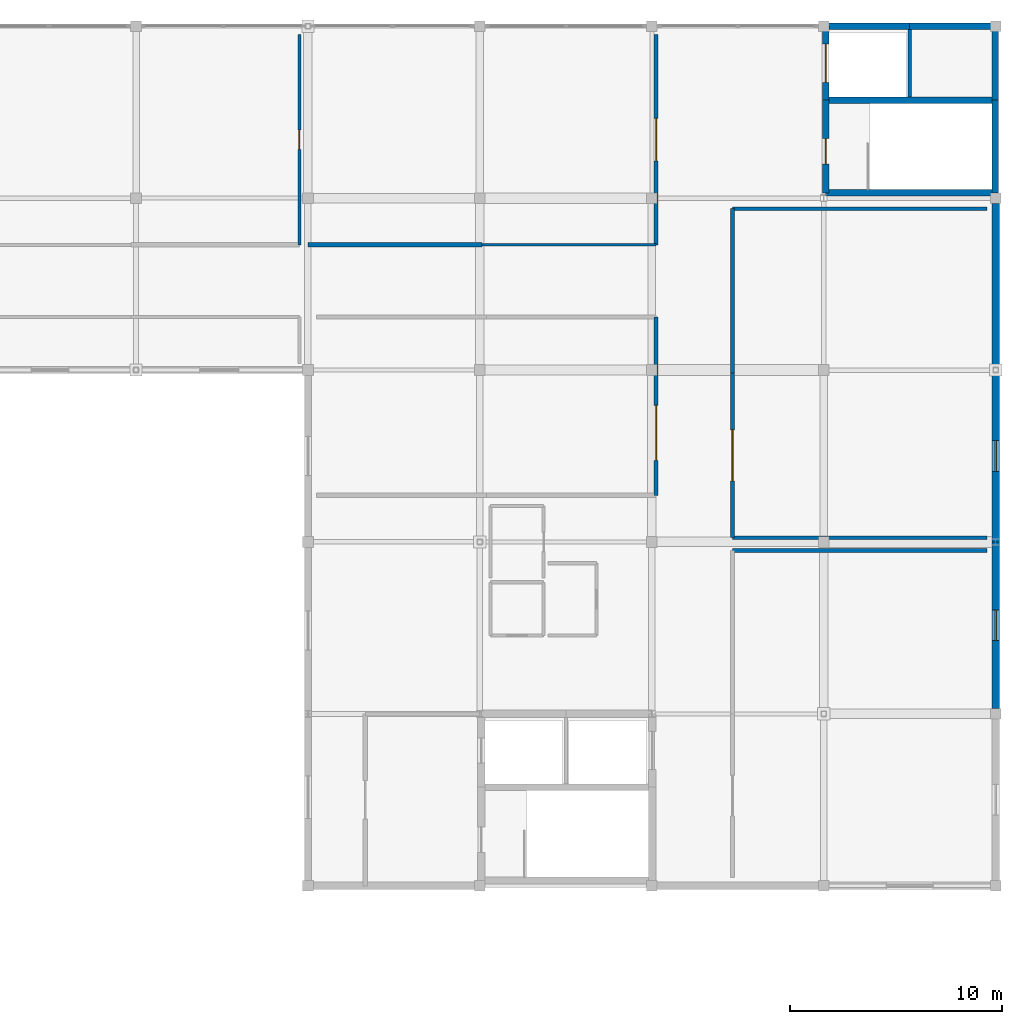
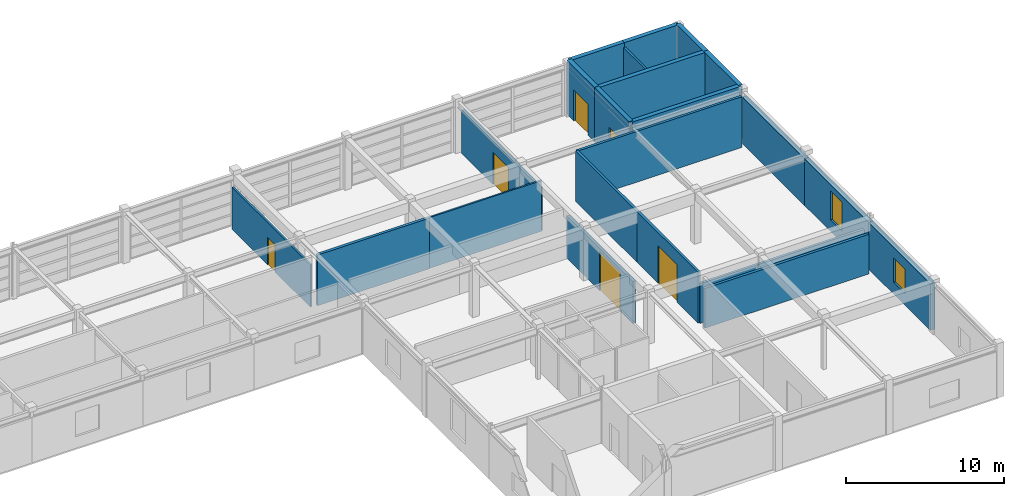
# One storey, part 18 of 19: 22 walls, 6 doors, 2 windows, 8 openings.
"""IFC4 building model written with IfcOpenShell, lengths in metres."""

from ifc_helpers import new_model, si_unit, direction, frame, frame_2d, origin, place, context, subcontext, project, spatial, rectangle, extrude, material, layer, layer_set, type_object, element, fill, save


model = new_model("IFC4")

# Units and contexts
model_context = context("Model", 3, precision=1e-05, world=origin(), true_north=direction((0.0, 1.0)))
body_context = subcontext(model_context, "Body", "Model", "MODEL_VIEW")
ifc_project = project(units=[si_unit("LENGTHUNIT", "METRE"), si_unit("AREAUNIT", "SQUARE_METRE"), si_unit("VOLUMEUNIT", "CUBIC_METRE"), si_unit("PLANEANGLEUNIT", "RADIAN"), si_unit("MASSUNIT", "GRAM", prefix="KILO")], contexts=[model_context])

# Site, building, storey
site_placement = place(None, origin())
site = spatial("IfcSite", under=ifc_project, at=site_placement, CompositionType="ELEMENT")
building_placement = place(site_placement, origin())
building = spatial("IfcBuilding", under=site, at=building_placement, Name="Parian Resonance Hall", CompositionType="ELEMENT")
storey_placement = place(building_placement, frame((0.0, 0.0, 23.39990234375)))
storey = spatial("IfcBuildingStorey", under=building, at=storey_placement, Name="L05", CompositionType="ELEMENT", Elevation=23.39990234375)

# Wall, opening, door
ifc_material_1 = material(Name="Concrete C40/50", Category="concrete")
ifc_layer_1 = layer(ifc_material_1, 0.31005859375)
ifc_layer_set_1 = layer_set([ifc_layer_1], Name="Concrete C40/50")
wall_type_1 = type_object("IfcWallType", Name="CW310", PredefinedType="SHEAR", material=ifc_layer_set_1)
wall_1_placement = place(storey_placement, frame((137.7900390625, 81.25, 0.0), z_axis=(0.0, 0.0, 1.0), x_axis=(0.0, 1.0, 0.0)))
wall_1 = element("IfcWall", 1, at=wall_1_placement, inside=storey, type_object=wall_type_1, Name="Core K6 stairwell west shear wall L05", PredefinedType="SHEAR", context=body_context, shape_type="SweptSolid", body=[
    extrude(rectangle(XDim=4.360107421875, YDim=0.31005859375, at=frame_2d((2.18017578125, 0.0))), origin(), (0.0, 0.0, 1.0), 4.2001953125),
])
opening_1_placement = place(wall_1_placement, frame((1.35009765625, 0.0, 0.0)))
opening_1 = element("IfcOpeningElement", 2, at=opening_1_placement, cuts=wall_1, Name="Opening FD-01", PredefinedType="OPENING", context=body_context, shape_type="SweptSolid", body=[
    extrude(rectangle(XDim=1.199951171875, YDim=2.25, at=frame_2d((0.60009765625, 1.125))), frame((0.0, 0.1650390625, 0.0), z_axis=(0.0, -1.0, 0.0), x_axis=(1.0, 0.0, 0.0)), (0.0, 0.0, 1.0), 0.330078125),
])
ifc_material_2 = material(Name="Fire-rated acoustic steel and narra timber door", Category="steel")
door_type_1 = type_object("IfcDoorType", Name="FD-01", OperationType="NOTDEFINED", PredefinedType="DOOR", material=ifc_material_2)
door_1_placement = place(opening_1_placement, origin())
door_1 = element("IfcDoor", 3, at=door_1_placement, inside=storey, type_object=door_type_1, Name="Exit stair ST-06 fire door L05", OperationType="SINGLE_SWING_LEFT", OverallHeight=2.25, OverallWidth=1.199951171875, PredefinedType="DOOR", context=body_context, shape_type="SweptSolid", body=[
    extrude(rectangle(XDim=1.199951171875, YDim=2.25, at=frame_2d((0.60009765625, 1.125))), frame((0.0, 0.02490234375, 0.0), z_axis=(0.0, -1.0, 0.0), x_axis=(1.0, 0.0, 0.0)), (0.0, 0.0, 1.0), 0.050048828125),
])
fill(opening_1, door_1)

wall_2_placement = place(storey_placement, frame((137.7900390625, 85.610107421875, 0.0), z_axis=(0.0, 0.0, 1.0), x_axis=(0.0, 1.0, 0.0)))
wall_2 = element("IfcWall", 4, at=wall_2_placement, inside=storey, type_object=wall_type_1, Name="Core K6 lift shaft west shear wall L05", PredefinedType="SHEAR", context=body_context, shape_type="SweptSolid", body=[
    extrude(rectangle(XDim=3.489990234375, YDim=0.31005859375, at=frame_2d((1.7451171875, 0.0))), origin(), (0.0, 0.0, 1.0), 4.2001953125),
])
opening_2_placement = place(wall_2_placement, frame((0.844970703125, 0.0, 0.0)))
opening_2 = element("IfcOpeningElement", 5, at=opening_2_placement, cuts=wall_2, Name="Opening LD-02", PredefinedType="OPENING", context=body_context, shape_type="SweptSolid", body=[
    extrude(rectangle(XDim=1.800048828125, YDim=2.39990234375, at=frame_2d((0.89990234375, 1.199951171875))), frame((0.0, 0.1650390625, 0.0), z_axis=(0.0, -1.0, 0.0), x_axis=(1.0, 0.0, 0.0)), (0.0, 0.0, 1.0), 0.330078125),
])
ifc_material_3 = material(Name="Stainless steel and bronze elevator cab", Category="steel")
door_type_2 = type_object("IfcDoorType", Name="DOOR-LIFT-1800x2400", OperationType="SLIDING_TO_LEFT", PredefinedType="DOOR", material=ifc_material_3)
door_2_placement = place(opening_2_placement, origin())
door_2 = element("IfcDoor", 6, at=door_2_placement, inside=storey, type_object=door_type_2, Name="Lift LF-08 sliding landing door L05", OperationType="SLIDING_TO_LEFT", OverallHeight=2.39990234375, OverallWidth=1.800048828125, PredefinedType="DOOR", context=body_context, shape_type="SweptSolid", body=[
    extrude(rectangle(XDim=1.800048828125, YDim=2.39990234375, at=frame_2d((0.89990234375, 1.199951171875))), frame((0.0, 0.02490234375, 0.0), z_axis=(0.0, -1.0, 0.0), x_axis=(1.0, 0.0, 0.0)), (0.0, 0.0, 1.0), 0.050048828125),
])
fill(opening_2, door_2)

# Walls
wall_3_placement = place(storey_placement, frame((137.7900390625, 89.10009765625, 0.0), z_axis=(0.0, 0.0, 1.0), x_axis=(1.0, 0.0, 0.0)))
element("IfcWall", 7, at=wall_3_placement, inside=storey, type_object=wall_type_1, Name="Core K6 north-west shaft wall L05", PredefinedType="SHEAR", context=body_context, shape_type="SweptSolid", body=[
    extrude(rectangle(XDim=3.9599609375, YDim=0.31005859375, at=frame_2d((1.97998046875, 0.0))), origin(), (0.0, 0.0, 1.0), 4.2001953125),
])
wall_4_placement = place(storey_placement, frame((141.75, 89.10009765625, 0.0), z_axis=(0.0, 0.0, 1.0), x_axis=(1.0, 0.0, 0.0)))
element("IfcWall", 8, at=wall_4_placement, inside=storey, type_object=wall_type_1, Name="Core K6 north-east shaft wall L05", PredefinedType="SHEAR", context=body_context, shape_type="SweptSolid", body=[
    extrude(rectangle(XDim=4.02001953125, YDim=0.31005859375, at=frame_2d((2.010009765625, 0.0))), origin(), (0.0, 0.0, 1.0), 4.2001953125),
])
wall_5_placement = place(storey_placement, frame((145.77001953125, 89.10009765625, 0.0), z_axis=(0.0, 0.0, 1.0), x_axis=(0.0, -1.0, 0.0)))
element("IfcWall", 9, at=wall_5_placement, inside=storey, type_object=wall_type_1, Name="Core K6 east shaft wall L05", PredefinedType="SHEAR", context=body_context, shape_type="SweptSolid", body=[
    extrude(rectangle(XDim=3.489990234375, YDim=0.31005859375, at=frame_2d((1.7451171875, 0.0))), origin(), (0.0, 0.0, 1.0), 4.2001953125),
])
wall_6_placement = place(storey_placement, frame((145.77001953125, 85.610107421875, 0.0), z_axis=(0.0, 0.0, 1.0), x_axis=(0.0, -1.0, 0.0)))
element("IfcWall", 10, at=wall_6_placement, inside=storey, type_object=wall_type_1, Name="Core K6 stairwell east wall L05", PredefinedType="SHEAR", context=body_context, shape_type="SweptSolid", body=[
    extrude(rectangle(XDim=4.360107421875, YDim=0.31005859375, at=frame_2d((2.18017578125, 0.0))), origin(), (0.0, 0.0, 1.0), 4.2001953125),
])
for number, where, z_axis, x_axis, name in (
    (11, (145.77001953125, 81.25, 0.0), (0.0, 0.0, 1.0), (-1.0, 0.0, 0.0), "Core K6 stairwell south wall L05"),
    (12, (137.7900390625, 85.610107421875, 0.0), (0.0, 0.0, 1.0), (1.0, 0.0, 0.0), "Core K6 stair-lift divider wall L05"),
):
    element("IfcWall", number, at=place(storey_placement, frame(where, z_axis=z_axis, x_axis=x_axis)), inside=storey, type_object=wall_type_1, Name=name, PredefinedType="SHEAR", context=body_context, shape_type="SweptSolid", body=[
        extrude(rectangle(XDim=7.97998046875, YDim=0.31005859375, at=frame_2d((3.989990234375, 0.0))), origin(), (0.0, 0.0, 1.0), 4.2001953125),
    ])

# Wall, opening, window
ifc_material_4 = material(Name="Concrete C35/45 with Carcar coral-limestone ashlar", Category="masonry")
ifc_layer_2 = layer(ifc_material_4, 0.340087890625)
ifc_layer_set_2 = layer_set([ifc_layer_2], Name="Concrete C35/45 with Carcar coral-limestone ashlar")
wall_type_2 = type_object("IfcWallType", Name="EW-STONE-340", PredefinedType="SOLIDWALL", material=ifc_layer_set_2)
wall_7_placement = place(storey_placement, frame((145.800048828125, 56.949951171875, 0.0), z_axis=(0.0, 0.0, 1.0), x_axis=(0.0, 1.0, 0.0)))
wall_7 = element("IfcWall", 13, at=wall_7_placement, inside=storey, type_object=wall_type_2, Name="Perimeter closure wall L05", PredefinedType="SOLIDWALL", context=body_context, shape_type="SweptSolid", body=[
    extrude(rectangle(XDim=7.85009765625, YDim=0.340087890625, at=frame_2d((3.925048828125, 0.0))), origin(), (0.0, 0.0, 1.0), 3.607177734375),
])
opening_3_placement = place(wall_7_placement, frame((3.199951171875, 0.0, 0.89990234375)))
opening_3 = element("IfcOpeningElement", 14, at=opening_3_placement, cuts=wall_7, Name="Opening WN-22", PredefinedType="OPENING", context=body_context, shape_type="SweptSolid", body=[
    extrude(rectangle(XDim=1.449951171875, YDim=1.89990234375, at=frame_2d((0.72509765625, 0.949951171875))), frame((0.0, 0.179931640625, 0.0), z_axis=(0.0, -1.0, 0.0), x_axis=(1.0, 0.0, 0.0)), (0.0, 0.0, 1.0), 0.360107421875),
])
ifc_material_5 = material(Name="Acoustic laminated double glazing", Category="glass")
window_type_1 = type_object("IfcWindowType", Name="WIN-1450x1900", PartitioningType="SINGLE_PANEL", PredefinedType="WINDOW", material=ifc_material_5)
window_1_placement = place(opening_3_placement, origin())
window_1 = element("IfcWindow", 15, at=window_1_placement, inside=storey, type_object=window_type_1, Name="Acoustic window L05-0129", OverallHeight=1.89990234375, OverallWidth=1.449951171875, PartitioningType="SINGLE_PANEL", PredefinedType="WINDOW", context=body_context, shape_type="SweptSolid", body=[
    extrude(rectangle(XDim=1.449951171875, YDim=1.89990234375, at=frame_2d((0.72509765625, 0.949951171875))), frame((0.0, 0.030029296875, 0.0), z_axis=(0.0, -1.0, 0.0), x_axis=(1.0, 0.0, 0.0)), (0.0, 0.0, 1.0), 0.06005859375),
])
fill(opening_3, window_1)

wall_8_placement = place(storey_placement, frame((145.800048828125, 64.800048828125, 0.0), z_axis=(0.0, 0.0, 1.0), x_axis=(0.0, 1.0, 0.0)))
wall_8 = element("IfcWall", 16, at=wall_8_placement, inside=storey, type_object=wall_type_2, Name="Perimeter closure wall L05", PredefinedType="SOLIDWALL", context=body_context, shape_type="SweptSolid", body=[
    extrude(rectangle(XDim=8.099853515625, YDim=0.340087890625, at=frame_2d((4.0498046875, 0.0))), origin(), (0.0, 0.0, 1.0), 3.607177734375),
])
opening_4_placement = place(wall_8_placement, frame((3.324951171875, 0.0, 0.89990234375)))
opening_4 = element("IfcOpeningElement", 17, at=opening_4_placement, cuts=wall_8, Name="Opening WN-23", PredefinedType="OPENING", context=body_context, shape_type="SweptSolid", body=[
    extrude(rectangle(XDim=1.449951171875, YDim=2.25, at=frame_2d((0.72509765625, 1.125))), frame((0.0, 0.179931640625, 0.0), z_axis=(0.0, -1.0, 0.0), x_axis=(1.0, 0.0, 0.0)), (0.0, 0.0, 1.0), 0.360107421875),
])
ifc_material_6 = material(Name="Acoustic laminated double glazing", Category="glass")
window_type_2 = type_object("IfcWindowType", Name="WIN-1450x2250", PartitioningType="SINGLE_PANEL", PredefinedType="WINDOW", material=ifc_material_6)
window_2_placement = place(opening_4_placement, origin())
window_2 = element("IfcWindow", 18, at=window_2_placement, inside=storey, type_object=window_type_2, Name="Acoustic window L05-0130", OverallHeight=2.25, OverallWidth=1.449951171875, PartitioningType="SINGLE_PANEL", PredefinedType="WINDOW", context=body_context, shape_type="SweptSolid", body=[
    extrude(rectangle(XDim=1.449951171875, YDim=2.25, at=frame_2d((0.72509765625, 1.125))), frame((0.0, 0.030029296875, 0.0), z_axis=(0.0, -1.0, 0.0), x_axis=(1.0, 0.0, 0.0)), (0.0, 0.0, 1.0), 0.06005859375),
])
fill(opening_4, window_2)

# Wall
wall_9_placement = place(storey_placement, frame((145.800048828125, 72.89990234375, 0.0), z_axis=(0.0, 0.0, 1.0), x_axis=(0.0, 1.0, 0.0)))
element("IfcWall", 19, at=wall_9_placement, inside=storey, type_object=wall_type_2, Name="Perimeter closure wall L05", PredefinedType="SOLIDWALL", context=body_context, shape_type="SweptSolid", body=[
    extrude(rectangle(XDim=7.85009765625, YDim=0.340087890625, at=frame_2d((3.925048828125, 0.0))), origin(), (0.0, 0.0, 1.0), 3.607177734375),
])

# Wall, opening, door
ifc_material_7 = material(Name="Concrete C35/45 fire barrier", Category="concrete")
ifc_layer_3 = layer(ifc_material_7, 0.199951171875)
ifc_layer_set_3 = layer_set([ifc_layer_3], Name="Concrete C35/45 fire barrier")
wall_type_3 = type_object("IfcWallType", Name="FW200", PredefinedType="PARTITIONING", material=ifc_layer_set_3)
wall_10_placement = place(storey_placement, frame((129.800048828125, 88.699951171875, 0.0), z_axis=(0.0, 0.0, 1.0), x_axis=(0.0, -1.0, 0.0)))
wall_10 = element("IfcWall", 20, at=wall_10_placement, inside=storey, type_object=wall_type_3, Name="Interior acoustic partition IW-L05-0300", PredefinedType="PARTITIONING", context=body_context, shape_type="SweptSolid", body=[
    extrude(rectangle(XDim=9.89990234375, YDim=0.199951171875, at=frame_2d((4.949951171875, 0.0))), origin(), (0.0, 0.0, 1.0), 3.364013671875),
])
opening_5_placement = place(wall_10_placement, frame((3.949951171875, 0.0, 0.0)))
opening_5 = element("IfcOpeningElement", 21, at=opening_5_placement, cuts=wall_10, Name="Opening ID-02", PredefinedType="OPENING", context=body_context, shape_type="SweptSolid", body=[
    extrude(rectangle(XDim=2.0, YDim=2.5, at=frame_2d((1.0, 1.25))), frame((0.0, 0.10986328125, 0.0), z_axis=(0.0, -1.0, 0.0), x_axis=(1.0, 0.0, 0.0)), (0.0, 0.0, 1.0), 0.219970703125),
])
ifc_material_8 = material(Name="Fire-rated acoustic steel and narra timber door", Category="steel")
door_type_3 = type_object("IfcDoorType", Name="ID-HALL-2000x2500", OperationType="NOTDEFINED", PredefinedType="DOOR", material=ifc_material_8)
door_3_placement = place(opening_5_placement, origin())
door_3 = element("IfcDoor", 22, at=door_3_placement, inside=storey, type_object=door_type_3, Name="Digital Recording Media Archive door", OperationType="DOUBLE_DOOR_SINGLE_SWING", OverallHeight=2.5, OverallWidth=2.0, PredefinedType="DOOR", context=body_context, shape_type="SweptSolid", body=[
    extrude(rectangle(XDim=2.0, YDim=2.5, at=frame_2d((1.0, 1.25))), frame((0.0, 0.02490234375, 0.0), z_axis=(0.0, -1.0, 0.0), x_axis=(1.0, 0.0, 0.0)), (0.0, 0.0, 1.0), 0.050048828125),
])
fill(opening_5, door_3)

# Walls
wall_11_placement = place(storey_placement, frame((121.60009765625, 78.800048828125, 0.0), z_axis=(0.0, 0.0, 1.0), x_axis=(-1.0, 0.0, 0.0)))
element("IfcWall", 23, at=wall_11_placement, inside=storey, type_object=wall_type_3, Name="Interior acoustic partition IW-L05-0302", PredefinedType="PARTITIONING", context=body_context, shape_type="SweptSolid", body=[
    extrude(rectangle(XDim=8.2001953125, YDim=0.199951171875, at=frame_2d((4.10009765625, 0.0))), origin(), (0.0, 0.0, 1.0), 3.920166015625),
])
wall_12_placement = place(storey_placement, frame((133.39990234375, 64.39990234375, 0.0), z_axis=(0.0, 0.0, 1.0), x_axis=(1.0, 0.0, 0.0)))
element("IfcWall", 24, at=wall_12_placement, inside=storey, type_object=wall_type_3, Name="Interior acoustic partition IW-L05-0305", PredefinedType="PARTITIONING", context=body_context, shape_type="SweptSolid", body=[
    extrude(rectangle(XDim=12.0, YDim=0.199951171875, at=frame_2d((6.0, 0.0))), origin(), (0.0, 0.0, 1.0), 3.064208984375),
])

# Wall, opening, door
wall_13_placement = place(storey_placement, frame((129.800048828125, 75.39990234375, 0.0), z_axis=(0.0, 0.0, 1.0), x_axis=(0.0, -1.0, 0.0)))
wall_13 = element("IfcWall", 25, at=wall_13_placement, inside=storey, type_object=wall_type_3, Name="Interior acoustic partition IW-L05-0306", PredefinedType="PARTITIONING", context=body_context, shape_type="SweptSolid", body=[
    extrude(rectangle(XDim=8.39990234375, YDim=0.199951171875, at=frame_2d((4.199951171875, 0.0))), origin(), (0.0, 0.0, 1.0), 3.26416015625),
])
opening_6_placement = place(wall_13_placement, frame((4.159912109375, 0.0, 0.0)))
opening_6 = element("IfcOpeningElement", 26, at=opening_6_placement, cuts=wall_13, Name="Opening ID-04", PredefinedType="OPENING", context=body_context, shape_type="SweptSolid", body=[
    extrude(rectangle(XDim=2.60009765625, YDim=3.0, at=frame_2d((1.300048828125, 1.5))), frame((0.0, 0.10986328125, 0.0), z_axis=(0.0, -1.0, 0.0), x_axis=(1.0, 0.0, 0.0)), (0.0, 0.0, 1.0), 0.219970703125),
])
ifc_material_9 = material(Name="Fire-rated acoustic steel and narra timber door", Category="steel")
door_type_4 = type_object("IfcDoorType", Name="ID-STAGE-2600x3000", OperationType="NOTDEFINED", PredefinedType="DOOR", material=ifc_material_9)
door_4_placement = place(opening_6_placement, origin())
door_4 = element("IfcDoor", 27, at=door_4_placement, inside=storey, type_object=door_type_4, Name="Upper Mechanical Smoke Exhaust Plant door", OperationType="DOUBLE_DOOR_SINGLE_SWING", OverallHeight=3.0, OverallWidth=2.60009765625, PredefinedType="DOOR", context=body_context, shape_type="SweptSolid", body=[
    extrude(rectangle(XDim=2.60009765625, YDim=3.0, at=frame_2d((1.300048828125, 1.5))), frame((0.0, 0.02490234375, 0.0), z_axis=(0.0, -1.0, 0.0), x_axis=(1.0, 0.0, 0.0)), (0.0, 0.0, 1.0), 0.050048828125),
])
fill(opening_6, door_4)

# Wall
ifc_material_10 = material(Name="Concrete C35/45 acoustic masonry partition", Category="masonry")
ifc_layer_4 = layer(ifc_material_10, 0.1201171875)
ifc_layer_set_4 = layer_set([ifc_layer_4], Name="Concrete C35/45 acoustic masonry partition")
wall_type_4 = type_object("IfcWallType", Name="PW120", PredefinedType="PARTITIONING", material=ifc_layer_set_4)
wall_14_placement = place(storey_placement, frame((129.800048828125, 78.800048828125, 0.0), z_axis=(0.0, 0.0, 1.0), x_axis=(-1.0, 0.0, 0.0)))
element("IfcWall", 28, at=wall_14_placement, inside=storey, type_object=wall_type_4, Name="Interior acoustic partition IW-L05-0301", PredefinedType="PARTITIONING", context=body_context, shape_type="SweptSolid", body=[
    extrude(rectangle(XDim=8.199951171875, YDim=0.1201171875, at=frame_2d((4.10009765625, 0.0))), origin(), (0.0, 0.0, 1.0), 3.920166015625),
])

# Wall, opening, door
ifc_material_11 = material(Name="Concrete C35/45 acoustic masonry partition", Category="masonry")
ifc_layer_5 = layer(ifc_material_11, 0.139892578125)
ifc_layer_set_5 = layer_set([ifc_layer_5], Name="Concrete C35/45 acoustic masonry partition")
wall_type_5 = type_object("IfcWallType", Name="PW140", PredefinedType="PARTITIONING", material=ifc_layer_set_5)
wall_15_placement = place(storey_placement, frame((113.0, 88.699951171875, 0.0), z_axis=(0.0, 0.0, 1.0), x_axis=(0.0, -1.0, 0.0)))
wall_15 = element("IfcWall", 29, at=wall_15_placement, inside=storey, type_object=wall_type_5, Name="Interior acoustic partition IW-L05-0295", PredefinedType="PARTITIONING", context=body_context, shape_type="SweptSolid", body=[
    extrude(rectangle(XDim=9.89990234375, YDim=0.139892578125, at=frame_2d((4.949951171875, 0.0))), origin(), (0.0, 0.0, 1.0), 3.26416015625),
])
opening_7_placement = place(wall_15_placement, frame((4.5, 0.0, 0.0)))
opening_7 = element("IfcOpeningElement", 30, at=opening_7_placement, cuts=wall_15, Name="Opening ID-22", PredefinedType="OPENING", context=body_context, shape_type="SweptSolid", body=[
    extrude(rectangle(XDim=0.89990234375, YDim=2.10009765625, at=frame_2d((0.449951171875, 1.050048828125))), frame((0.0, 0.079833984375, 0.0), z_axis=(0.0, -1.0, 0.0), x_axis=(1.0, 0.0, 0.0)), (0.0, 0.0, 1.0), 0.159912109375),
])
ifc_material_12 = material(Name="Philippine narra acoustic timber door", Category="wood")
door_type_5 = type_object("IfcDoorType", Name="ID-WC-0900x2100", OperationType="NOTDEFINED", PredefinedType="DOOR", material=ifc_material_12)
door_5_placement = place(opening_7_placement, origin())
door_5 = element("IfcDoor", 31, at=door_5_placement, inside=storey, type_object=door_type_5, Name="Electro-Acoustic Research Laboratory door", OperationType="SINGLE_SWING_RIGHT", OverallHeight=2.10009765625, OverallWidth=0.89990234375, PredefinedType="DOOR", context=body_context, shape_type="SweptSolid", body=[
    extrude(rectangle(XDim=0.89990234375, YDim=2.10009765625, at=frame_2d((0.449951171875, 1.050048828125))), frame((0.0, 0.02490234375, 0.0), z_axis=(0.0, -1.0, 0.0), x_axis=(1.0, 0.0, 0.0)), (0.0, 0.0, 1.0), 0.050048828125),
])
fill(opening_7, door_5)

# Walls
ifc_material_13 = material(Name="Concrete C35/45 acoustic plumbing chase wall", Category="concrete")
ifc_layer_6 = layer(ifc_material_13, 0.14990234375)
ifc_layer_set_6 = layer_set([ifc_layer_6], Name="Concrete C35/45 acoustic plumbing chase wall")
wall_type_6 = type_object("IfcWallType", Name="PW150", PredefinedType="PLUMBINGWALL", material=ifc_layer_set_6)
wall_16_placement = place(storey_placement, frame((141.75, 85.77001953125, 0.0), z_axis=(0.0, 0.0, 1.0), x_axis=(0.0, 1.0, 0.0)))
element("IfcWall", 32, at=wall_16_placement, inside=storey, type_object=wall_type_6, Name="Core K6 shaft plumbing/riser divider L05", PredefinedType="PLUMBINGWALL", context=body_context, shape_type="SweptSolid", body=[
    extrude(rectangle(XDim=3.169921875, YDim=0.14990234375, at=frame_2d((1.5849609375, 0.0))), origin(), (0.0, 0.0, 1.0), 3.85009765625),
])
ifc_material_14 = material(Name="Concrete C35/45 acoustic masonry partition", Category="masonry")
ifc_layer_7 = layer(ifc_material_14, 0.179931640625)
ifc_layer_set_7 = layer_set([ifc_layer_7], Name="Concrete C35/45 acoustic masonry partition")
wall_type_7 = type_object("IfcWallType", Name="PW180", PredefinedType="PARTITIONING", material=ifc_layer_set_7)
wall_17_placement = place(storey_placement, frame((145.39990234375, 65.0, 0.0), z_axis=(0.0, 0.0, 1.0), x_axis=(-1.0, 0.0, 0.0)))
element("IfcWall", 33, at=wall_17_placement, inside=storey, type_object=wall_type_7, Name="Interior acoustic partition IW-L05-0311", PredefinedType="PARTITIONING", context=body_context, shape_type="SweptSolid", body=[
    extrude(rectangle(XDim=12.0, YDim=0.179931640625, at=frame_2d((6.0, 0.0))), origin(), (0.0, 0.0, 1.0), 3.064208984375),
])

# Wall, opening, door
wall_18_placement = place(storey_placement, frame((133.39990234375, 65.0, 0.0), z_axis=(0.0, 0.0, 1.0), x_axis=(0.0, 1.0, 0.0)))
wall_18 = element("IfcWall", 34, at=wall_18_placement, inside=storey, type_object=wall_type_7, Name="Interior acoustic partition IW-L05-0312", PredefinedType="PARTITIONING", context=body_context, shape_type="SweptSolid", body=[
    extrude(rectangle(XDim=7.75, YDim=0.179931640625, at=frame_2d((3.875, 0.0))), origin(), (0.0, 0.0, 1.0), 3.920166015625),
])
opening_8_placement = place(wall_18_placement, frame((2.675048828125, 0.0, 0.0)))
opening_8 = element("IfcOpeningElement", 35, at=opening_8_placement, cuts=wall_18, Name="Opening ID-05", PredefinedType="OPENING", context=body_context, shape_type="SweptSolid", body=[
    extrude(rectangle(XDim=2.39990234375, YDim=2.89990234375, at=frame_2d((1.199951171875, 1.449951171875))), frame((0.0, 0.099853515625, 0.0), z_axis=(0.0, -1.0, 0.0), x_axis=(1.0, 0.0, 0.0)), (0.0, 0.0, 1.0), 0.199951171875),
])
ifc_material_15 = material(Name="Fire-rated acoustic steel and narra timber door", Category="steel")
door_type_6 = type_object("IfcDoorType", Name="ID-STAGE-2400x2900", OperationType="NOTDEFINED", PredefinedType="DOOR", material=ifc_material_15)
door_6_placement = place(opening_8_placement, origin())
door_6 = element("IfcDoor", 36, at=door_6_placement, inside=storey, type_object=door_type_6, Name="Lighting Dimmer and Power Control Plant door", OperationType="DOUBLE_DOOR_SINGLE_SWING", OverallHeight=2.89990234375, OverallWidth=2.39990234375, PredefinedType="DOOR", context=body_context, shape_type="SweptSolid", body=[
    extrude(rectangle(XDim=2.39990234375, YDim=2.89990234375, at=frame_2d((1.199951171875, 1.449951171875))), frame((0.0, 0.02490234375, 0.0), z_axis=(0.0, -1.0, 0.0), x_axis=(1.0, 0.0, 0.0)), (0.0, 0.0, 1.0), 0.050048828125),
])
fill(opening_8, door_6)

# Walls
wall_19_placement = place(storey_placement, frame((133.39990234375, 72.75, 0.0), z_axis=(0.0, 0.0, 1.0), x_axis=(0.0, 1.0, 0.0)))
element("IfcWall", 37, at=wall_19_placement, inside=storey, type_object=wall_type_7, Name="Interior acoustic partition IW-L05-0313", PredefinedType="PARTITIONING", context=body_context, shape_type="SweptSolid", body=[
    extrude(rectangle(XDim=7.75, YDim=0.179931640625, at=frame_2d((3.875, 0.0))), origin(), (0.0, 0.0, 1.0), 3.920166015625),
])
wall_20_placement = place(storey_placement, frame((133.39990234375, 80.5, 0.0), z_axis=(0.0, 0.0, 1.0), x_axis=(1.0, 0.0, 0.0)))
element("IfcWall", 38, at=wall_20_placement, inside=storey, type_object=wall_type_7, Name="Interior acoustic partition IW-L05-0314", PredefinedType="PARTITIONING", context=body_context, shape_type="SweptSolid", body=[
    extrude(rectangle(XDim=12.0, YDim=0.179931640625, at=frame_2d((6.0, 0.0))), origin(), (0.0, 0.0, 1.0), 3.920166015625),
])

save(model, "model.ifc")
